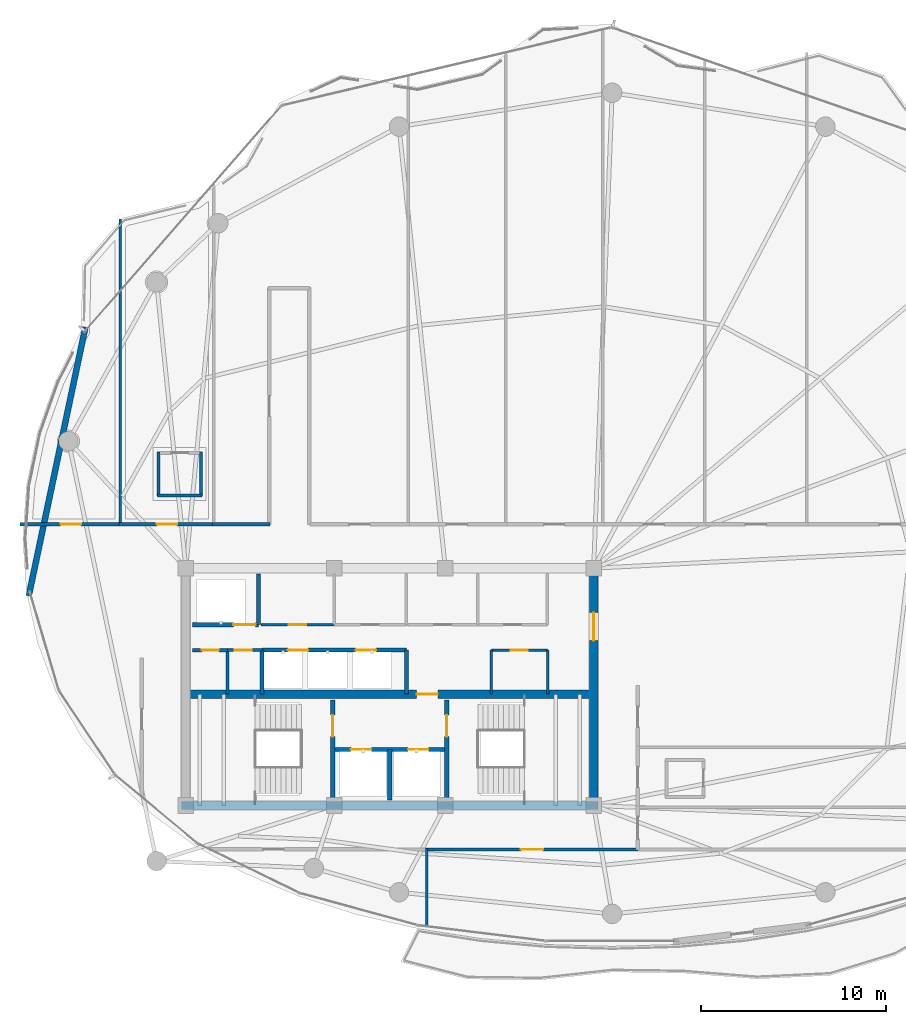
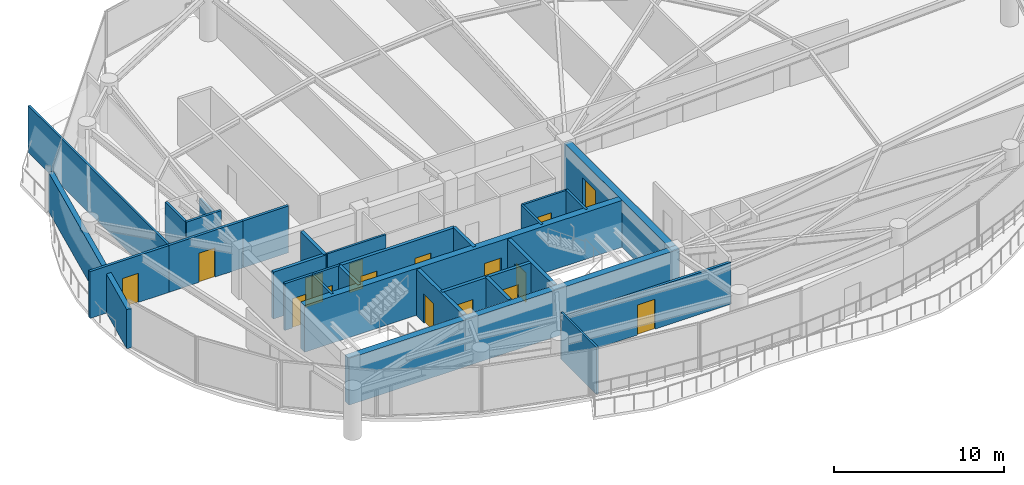
# One storey, part 23 of 29: 29 walls, 16 doors, 16 openings.
"""IFC4 building model written with IfcOpenShell, lengths in metres."""

from ifc_helpers import new_model, si_unit, direction, frame, frame_2d, origin, place, context, subcontext, project, spatial, rectangle, extrude, material, layer, layer_set, type_object, element, fill, save


model = new_model("IFC4")

# Units and contexts
model_context = context("Model", 3, precision=1e-05, world=origin(), true_north=direction((0.0, 1.0)))
body_context = subcontext(model_context, "Body", "Model", "MODEL_VIEW")
ifc_project = project(units=[si_unit("LENGTHUNIT", "METRE"), si_unit("AREAUNIT", "SQUARE_METRE"), si_unit("VOLUMEUNIT", "CUBIC_METRE"), si_unit("PLANEANGLEUNIT", "RADIAN"), si_unit("MASSUNIT", "GRAM", prefix="KILO")], contexts=[model_context])

# Site, building, storey
site_placement = place(None, origin())
site = spatial("IfcSite", under=ifc_project, at=site_placement, CompositionType="ELEMENT")
building_placement = place(site_placement, origin())
building = spatial("IfcBuilding", under=site, at=building_placement, Name="Kazevale Care Tower and Concert Hall", CompositionType="ELEMENT")
storey_placement = place(building_placement, frame((0.0, 0.0, 213.60009765625)))
storey = spatial("IfcBuildingStorey", under=building, at=storey_placement, Name="L56", CompositionType="ELEMENT", Elevation=213.60009765625)

# Wall, opening, door
ifc_material_1 = material(Name="Acoustic Gypsum on Steel Stud", Category="steel")
ifc_layer_1 = layer(ifc_material_1, 0.139892578125)
ifc_layer_set_1 = layer_set([ifc_layer_1], Name="Acoustic Gypsum on Steel Stud")
wall_type_1 = type_object("IfcWallType", Name="Acoustic Care & Suite Partition 140", PredefinedType="PARTITIONING", material=ifc_layer_set_1)
wall_1_placement = place(storey_placement, frame((26.050048828125, 33.35009765625, 0.0), z_axis=(0.0, 0.0, 1.0), x_axis=(1.0, 0.0, 0.0)))
wall_1 = element("IfcWall", 1, at=wall_1_placement, inside=storey, type_object=wall_type_1, Name="wall:L56:c_rpl1_s", PredefinedType="PARTITIONING", context=body_context, shape_type="SweptSolid", body=[
    extrude(rectangle(XDim=3.949951171875, YDim=0.139892578125, at=frame_2d((1.97509765625, 0.0))), origin(), (0.0, 0.0, 1.0), 3.35986328125),
])
opening_1_placement = place(wall_1_placement, frame((1.514892578125, 0.0, 0.0)))
opening_1 = element("IfcOpeningElement", 2, at=opening_1_placement, cuts=wall_1, Name="Opening ID-900", PredefinedType="OPENING", context=body_context, shape_type="SweptSolid", body=[
    extrude(rectangle(XDim=0.919921875, YDim=2.10009765625, at=frame_2d((0.4599609375, 1.050048828125))), frame((0.0, 0.079833984375, 0.0), z_axis=(0.0, -1.0, 0.0), x_axis=(1.0, 0.0, 0.0)), (0.0, 0.0, 1.0), 0.159912109375),
])
ifc_material_2 = material(Name="Oak Timber Fire Leaf", Category="wood")
door_type_1 = type_object("IfcDoorType", Name="Bathroom & Service Door 920x2100", OperationType="NOTDEFINED", PredefinedType="DOOR", material=ifc_material_2)
door_1_placement = place(opening_1_placement, origin())
door_1 = element("IfcDoor", 3, at=door_1_placement, inside=storey, type_object=door_type_1, Name="door:L56:d_rpl1", OperationType="SINGLE_SWING_LEFT", OverallHeight=2.10009765625, OverallWidth=0.919921875, PredefinedType="DOOR", context=body_context, shape_type="SweptSolid", body=[
    extrude(rectangle(XDim=0.919921875, YDim=2.10009765625, at=frame_2d((0.4599609375, 1.050048828125))), frame((0.0, 0.02490234375, 0.0), z_axis=(0.0, -1.0, 0.0), x_axis=(1.0, 0.0, 0.0)), (0.0, 0.0, 1.0), 0.050048828125),
])
fill(opening_1, door_1)

# Walls
for number, where, z_axis, x_axis, name in (
    (4, (38.47998046875, 29.6201171875, 0.0), (0.0, 0.0, 1.0), (0.0, 1.0, 0.0), "wall:L56:kb_ew"),
    (5, (41.52001953125, 29.6201171875, 0.0), (0.0, 0.0, 1.0), (0.0, 1.0, 0.0), "wall:L56:kb_ee"),
):
    element("IfcWall", number, at=place(storey_placement, frame(where, z_axis=z_axis, x_axis=x_axis)), inside=storey, type_object=wall_type_1, Name=name, PredefinedType="PARTITIONING", context=body_context, shape_type="SweptSolid", body=[
        extrude(rectangle(XDim=2.35986328125, YDim=0.139892578125, at=frame_2d((1.179931640625, 0.0))), origin(), (0.0, 0.0, 1.0), 3.35986328125),
    ])

# Wall, opening, door
wall_2_placement = place(storey_placement, frame((38.47998046875, 31.97998046875, 0.0), z_axis=(0.0, 0.0, 1.0), x_axis=(1.0, 0.0, 0.0)))
wall_2 = element("IfcWall", 6, at=wall_2_placement, inside=storey, type_object=wall_type_1, Name="wall:L56:kb_en", PredefinedType="PARTITIONING", context=body_context, shape_type="SweptSolid", body=[
    extrude(rectangle(XDim=3.0400390625, YDim=0.139892578125, at=frame_2d((1.52001953125, 0.0))), origin(), (0.0, 0.0, 1.0), 3.35986328125),
])
opening_2_placement = place(wall_2_placement, frame((1.044921875, 0.0, 0.0)))
opening_2 = element("IfcOpeningElement", 7, at=opening_2_placement, cuts=wall_2, Name="Opening ID-900", PredefinedType="OPENING", context=body_context, shape_type="SweptSolid", body=[
    extrude(rectangle(XDim=0.919921875, YDim=2.10009765625, at=frame_2d((0.4599609375, 1.050048828125))), frame((0.0, 0.079833984375, 0.0), z_axis=(0.0, -1.0, 0.0), x_axis=(1.0, 0.0, 0.0)), (0.0, 0.0, 1.0), 0.159912109375),
])
door_2_placement = place(opening_2_placement, origin())
door_2 = element("IfcDoor", 8, at=door_2_placement, inside=storey, type_object=door_type_1, Name="door:L56:d_kbe", OperationType="SINGLE_SWING_LEFT", OverallHeight=2.10009765625, OverallWidth=0.919921875, PredefinedType="DOOR", context=body_context, shape_type="SweptSolid", body=[
    extrude(rectangle(XDim=0.919921875, YDim=2.10009765625, at=frame_2d((0.4599609375, 1.050048828125))), frame((0.0, 0.02490234375, 0.0), z_axis=(0.0, -1.0, 0.0), x_axis=(1.0, 0.0, 0.0)), (0.0, 0.0, 1.0), 0.050048828125),
])
fill(opening_2, door_2)

# Walls
wall_3_placement = place(storey_placement, frame((18.469970703125, 55.239990234375, 0.0), z_axis=(0.0, 0.0, 1.0), x_axis=(0.0, -1.0, 0.0)))
element("IfcWall", 9, at=wall_3_placement, inside=storey, type_object=wall_type_1, Name="wall:L56:auto_019", PredefinedType="PARTITIONING", context=body_context, shape_type="SweptSolid", body=[
    extrude(rectangle(XDim=16.494873046875, YDim=0.139892578125, at=frame_2d((8.24755859375, 0.0))), origin(), (0.0, 0.0, 1.0), 3.35986328125),
])
wall_4_placement = place(storey_placement, frame((35.0, 21.2548828125, 0.0), z_axis=(0.0, 0.0, 1.0), x_axis=(0.0, -1.0, 0.0)))
element("IfcWall", 10, at=wall_4_placement, inside=storey, type_object=wall_type_1, Name="wall:L56:auto_031", PredefinedType="PARTITIONING", context=body_context, shape_type="SweptSolid", body=[
    extrude(rectangle(XDim=4.16943359375, YDim=0.139892578125, at=frame_2d((2.084716796875, 0.0))), origin(), (0.0, 0.0, 1.0), 3.35986328125),
])
ifc_material_3 = material(Name="Concrete C50", Category="concrete")
ifc_layer_2 = layer(ifc_material_3, 0.449951171875)
ifc_layer_set_2 = layer_set([ifc_layer_2], Name="Concrete C50")
wall_type_2 = type_object("IfcWallType", Name="Core Shear Wall 450 C50", PredefinedType="SHEAR", material=ifc_layer_set_2)
wall_5_placement = place(storey_placement, frame((21.77490234375, 23.60009765625, 0.0), z_axis=(0.0, 0.0, 1.0), x_axis=(1.0, 0.0, 0.0)))
element("IfcWall", 11, at=wall_5_placement, inside=storey, type_object=wall_type_2, Name="wall:L56:core:S", PredefinedType="SHEAR", context=body_context, shape_type="SweptSolid", body=[
    extrude(rectangle(XDim=22.4501953125, YDim=0.449951171875, at=frame_2d((11.22509765625, 0.0))), origin(), (0.0, 0.0, 1.0), 3.35986328125),
])

# Wall, opening, door
wall_6_placement = place(storey_placement, frame((44.0, 23.824951171875, 0.0), z_axis=(0.0, 0.0, 1.0), x_axis=(0.0, 1.0, 0.0)))
wall_6 = element("IfcWall", 12, at=wall_6_placement, inside=storey, type_object=wall_type_2, Name="wall:L56:core:E", PredefinedType="SHEAR", context=body_context, shape_type="SweptSolid", body=[
    extrude(rectangle(XDim=12.35009765625, YDim=0.449951171875, at=frame_2d((6.175048828125, 0.0))), origin(), (0.0, 0.0, 1.0), 3.35986328125),
])
opening_3_placement = place(wall_6_placement, frame((8.675048828125, 0.0, 0.0)))
opening_3 = element("IfcOpeningElement", 13, at=opening_3_placement, cuts=wall_6, Name="Opening FD-60D", PredefinedType="OPENING", context=body_context, shape_type="SweptSolid", body=[
    extrude(rectangle(XDim=1.5, YDim=2.14990234375, at=frame_2d((0.75, 1.074951171875))), frame((0.0, 0.23486328125, 0.0), z_axis=(0.0, -1.0, 0.0), x_axis=(1.0, 0.0, 0.0)), (0.0, 0.0, 1.0), 0.469970703125),
])
door_type_2 = type_object("IfcDoorType", Name="Double Lobby & Auditorium Fire Door 1500x2150", OperationType="NOTDEFINED", PredefinedType="DOOR", material=ifc_material_2)
door_3_placement = place(opening_3_placement, origin())
door_3 = element("IfcDoor", 14, at=door_3_placement, inside=storey, type_object=door_type_2, Name="door:L56:core_east_out", OperationType="DOUBLE_DOOR_SINGLE_SWING", OverallHeight=2.14990234375, OverallWidth=1.5, PredefinedType="DOOR", context=body_context, shape_type="SweptSolid", body=[
    extrude(rectangle(XDim=1.5, YDim=2.14990234375, at=frame_2d((0.75, 1.074951171875))), frame((0.0, 0.02490234375, 0.0), z_axis=(0.0, -1.0, 0.0), x_axis=(1.0, 0.0, 0.0)), (0.0, 0.0, 1.0), 0.050048828125),
])
fill(opening_3, door_3)

wall_7_placement = place(storey_placement, frame((22.22509765625, 29.60009765625, 0.0), z_axis=(0.0, 0.0, 1.0), x_axis=(1.0, 0.0, 0.0)))
wall_7 = element("IfcWall", 15, at=wall_7_placement, inside=storey, type_object=wall_type_2, Name="wall:L56:core:M", PredefinedType="SHEAR", context=body_context, shape_type="SweptSolid", body=[
    extrude(rectangle(XDim=21.5498046875, YDim=0.449951171875, at=frame_2d((10.77490234375, 0.0))), origin(), (0.0, 0.0, 1.0), 3.35986328125),
])
opening_4_placement = place(wall_7_placement, frame((12.22509765625, 0.0, 0.0)))
opening_4 = element("IfcOpeningElement", 16, at=opening_4_placement, cuts=wall_7, Name="Opening FD-90", PredefinedType="OPENING", context=body_context, shape_type="SweptSolid", body=[
    extrude(rectangle(XDim=1.14990234375, YDim=2.10009765625, at=frame_2d((0.574951171875, 1.050048828125))), frame((0.0, 0.23486328125, 0.0), z_axis=(0.0, -1.0, 0.0), x_axis=(1.0, 0.0, 0.0)), (0.0, 0.0, 1.0), 0.469970703125),
])
ifc_material_4 = material(Name="Steel ASTM A572 Gr 50", Category="steel")
door_type_3 = type_object("IfcDoorType", Name="Pressurized Stair & Lobby Fire Door 1150x2100", OperationType="NOTDEFINED", PredefinedType="DOOR", material=ifc_material_4)
door_4_placement = place(opening_4_placement, origin())
door_4 = element("IfcDoor", 17, at=door_4_placement, inside=storey, type_object=door_type_3, Name="door:L56:ff_to_pax", OperationType="SINGLE_SWING_LEFT", OverallHeight=2.10009765625, OverallWidth=1.14990234375, PredefinedType="DOOR", context=body_context, shape_type="SweptSolid", body=[
    extrude(rectangle(XDim=1.14990234375, YDim=2.10009765625, at=frame_2d((0.574951171875, 1.050048828125))), frame((0.0, 0.02490234375, 0.0), z_axis=(0.0, -1.0, 0.0), x_axis=(1.0, 0.0, 0.0)), (0.0, 0.0, 1.0), 0.050048828125),
])
fill(opening_4, door_4)

# Wall, openings, doors
ifc_material_5 = material(Name="Concrete C40", Category="concrete")
ifc_layer_3 = layer(ifc_material_5, 0.219970703125)
ifc_layer_set_3 = layer_set([ifc_layer_3], Name="Concrete C40")
wall_type_3 = type_object("IfcWallType", Name="Elevator Hoistway Shaft Wall 220", PredefinedType="SOLIDWALL", material=ifc_layer_set_3)
wall_8_placement = place(storey_placement, frame((29.919921875, 26.6201171875, 0.0), z_axis=(0.0, 0.0, 1.0), x_axis=(1.0, 0.0, 0.0)))
wall_8 = element("IfcWall", 18, at=wall_8_placement, inside=storey, type_object=wall_type_3, Name="wall:L56:c_ffl_n", PredefinedType="SOLIDWALL", context=body_context, shape_type="SweptSolid", body=[
    extrude(rectangle(XDim=6.16015625, YDim=0.219970703125, at=frame_2d((3.080078125, 0.0))), origin(), (0.0, 0.0, 1.0), 3.35986328125),
])
opening_5_placement = place(wall_8_placement, frame((0.989990234375, 0.0, 0.0)))
opening_5 = element("IfcOpeningElement", 19, at=opening_5_placement, cuts=wall_8, Name="Opening LD-FF", PredefinedType="OPENING", context=body_context, shape_type="SweptSolid", body=[
    extrude(rectangle(XDim=1.10009765625, YDim=2.10009765625, at=frame_2d((0.550048828125, 1.050048828125))), frame((0.0, 0.119873046875, 0.0), z_axis=(0.0, -1.0, 0.0), x_axis=(1.0, 0.0, 0.0)), (0.0, 0.0, 1.0), 0.239990234375),
])
opening_6_placement = place(wall_8_placement, frame((4.070068359375, 0.0, 0.0)))
opening_6 = element("IfcOpeningElement", 20, at=opening_6_placement, cuts=wall_8, Name="Opening LD-FF", PredefinedType="OPENING", context=body_context, shape_type="SweptSolid", body=[
    extrude(rectangle(XDim=1.10009765625, YDim=2.10009765625, at=frame_2d((0.550048828125, 1.050048828125))), frame((0.0, 0.119873046875, 0.0), z_axis=(0.0, -1.0, 0.0), x_axis=(1.0, 0.0, 0.0)), (0.0, 0.0, 1.0), 0.239990234375),
])
ifc_material_6 = material(Name="Stainless Steel 316", Category="steel")
door_type_4 = type_object("IfcDoorType", Name="Emergency Lift Sliding Landing Door 1100x2100", OperationType="NOTDEFINED", PredefinedType="DOOR", material=ifc_material_6)
door_5_placement = place(opening_5_placement, origin())
door_5 = element("IfcDoor", 21, at=door_5_placement, inside=storey, type_object=door_type_4, Name="door:L56:ld_ffl1", OperationType="SLIDING_TO_LEFT", OverallHeight=2.10009765625, OverallWidth=1.10009765625, PredefinedType="DOOR", context=body_context, shape_type="SweptSolid", body=[
    extrude(rectangle(XDim=1.10009765625, YDim=2.10009765625, at=frame_2d((0.550048828125, 1.050048828125))), frame((0.0, 0.02490234375, 0.0), z_axis=(0.0, -1.0, 0.0), x_axis=(1.0, 0.0, 0.0)), (0.0, 0.0, 1.0), 0.050048828125),
])
fill(opening_5, door_5)
door_6_placement = place(opening_6_placement, origin())
door_6 = element("IfcDoor", 22, at=door_6_placement, inside=storey, type_object=door_type_4, Name="door:L56:ld_ffl2", OperationType="SLIDING_TO_RIGHT", OverallHeight=2.10009765625, OverallWidth=1.10009765625, PredefinedType="DOOR", context=body_context, shape_type="SweptSolid", body=[
    extrude(rectangle(XDim=1.10009765625, YDim=2.10009765625, at=frame_2d((0.550048828125, 1.050048828125))), frame((0.0, 0.02490234375, 0.0), z_axis=(0.0, -1.0, 0.0), x_axis=(1.0, 0.0, 0.0)), (0.0, 0.0, 1.0), 0.050048828125),
])
fill(opening_6, door_6)

# Walls
wall_9_placement = place(storey_placement, frame((33.0, 23.89990234375, 0.0), z_axis=(0.0, 0.0, 1.0), x_axis=(0.0, 1.0, 0.0)))
element("IfcWall", 23, at=wall_9_placement, inside=storey, type_object=wall_type_3, Name="wall:L56:c_ffl_m", PredefinedType="SOLIDWALL", context=body_context, shape_type="SweptSolid", body=[
    extrude(rectangle(XDim=2.72021484375, YDim=0.219970703125, at=frame_2d((1.360107421875, 0.0))), origin(), (0.0, 0.0, 1.0), 3.35986328125),
])
wall_10_placement = place(storey_placement, frame((25.919921875, 33.35009765625, 0.0), z_axis=(0.0, 0.0, 1.0), x_axis=(0.0, 1.0, 0.0)))
element("IfcWall", 24, at=wall_10_placement, inside=storey, type_object=wall_type_3, Name="wall:L56:c_svl_e", PredefinedType="SOLIDWALL", context=body_context, shape_type="SweptSolid", body=[
    extrude(rectangle(XDim=2.72998046875, YDim=0.219970703125, at=frame_2d((1.364990234375, 0.0))), origin(), (0.0, 0.0, 1.0), 3.35986328125),
])

# Wall, opening, door
wall_11_placement = place(storey_placement, frame((22.35009765625, 33.35009765625, 0.0), z_axis=(0.0, 0.0, 1.0), x_axis=(1.0, 0.0, 0.0)))
wall_11 = element("IfcWall", 25, at=wall_11_placement, inside=storey, type_object=wall_type_3, Name="wall:L56:c_svl_s", PredefinedType="SOLIDWALL", context=body_context, shape_type="SweptSolid", body=[
    extrude(rectangle(XDim=3.56982421875, YDim=0.219970703125, at=frame_2d((1.784912109375, 0.0))), origin(), (0.0, 0.0, 1.0), 3.35986328125),
])
opening_7_placement = place(wall_11_placement, frame((2.212890625, 0.0, 0.0)))
opening_7 = element("IfcOpeningElement", 26, at=opening_7_placement, cuts=wall_11, Name="Opening LD-SV", PredefinedType="OPENING", context=body_context, shape_type="SweptSolid", body=[
    extrude(rectangle(XDim=1.199951171875, YDim=2.10009765625, at=frame_2d((0.60009765625, 1.050048828125))), frame((0.0, 0.119873046875, 0.0), z_axis=(0.0, -1.0, 0.0), x_axis=(1.0, 0.0, 0.0)), (0.0, 0.0, 1.0), 0.239990234375),
])
door_type_5 = type_object("IfcDoorType", Name="Service Lift Sliding Landing Door 1200x2100", OperationType="NOTDEFINED", PredefinedType="DOOR", material=ifc_material_6)
door_7_placement = place(opening_7_placement, origin())
door_7 = element("IfcDoor", 27, at=door_7_placement, inside=storey, type_object=door_type_5, Name="door:L56:ld_svl1", OperationType="SLIDING_TO_LEFT", OverallHeight=2.10009765625, OverallWidth=1.199951171875, PredefinedType="DOOR", context=body_context, shape_type="SweptSolid", body=[
    extrude(rectangle(XDim=1.199951171875, YDim=2.10009765625, at=frame_2d((0.60009765625, 1.050048828125))), frame((0.0, 0.02490234375, 0.0), z_axis=(0.0, -1.0, 0.0), x_axis=(1.0, 0.0, 0.0)), (0.0, 0.0, 1.0), 0.050048828125),
])
fill(opening_7, door_7)

# Wall
wall_12_placement = place(storey_placement, frame((26.10009765625, 29.6201171875, 0.0), z_axis=(0.0, 0.0, 1.0), x_axis=(0.0, 1.0, 0.0)))
element("IfcWall", 28, at=wall_12_placement, inside=storey, type_object=wall_type_3, Name="wall:L56:c_ph_w", PredefinedType="SOLIDWALL", context=body_context, shape_type="SweptSolid", body=[
    extrude(rectangle(XDim=2.35986328125, YDim=0.219970703125, at=frame_2d((1.179931640625, 0.0))), origin(), (0.0, 0.0, 1.0), 3.35986328125),
])

# Wall, openings, doors
wall_13_placement = place(storey_placement, frame((26.10009765625, 31.97998046875, 0.0), z_axis=(0.0, 0.0, 1.0), x_axis=(1.0, 0.0, 0.0)))
wall_13 = element("IfcWall", 29, at=wall_13_placement, inside=storey, type_object=wall_type_3, Name="wall:L56:c_ph_n", PredefinedType="SOLIDWALL", context=body_context, shape_type="SweptSolid", body=[
    extrude(rectangle(XDim=7.7998046875, YDim=0.219970703125, at=frame_2d((3.89990234375, 0.0))), origin(), (0.0, 0.0, 1.0), 3.35986328125),
])
opening_8_placement = place(wall_13_placement, frame((1.39990234375, 0.0, 0.0)))
opening_8 = element("IfcOpeningElement", 30, at=opening_8_placement, cuts=wall_13, Name="Opening LD-PAX", PredefinedType="OPENING", context=body_context, shape_type="SweptSolid", body=[
    extrude(rectangle(XDim=1.10009765625, YDim=2.10009765625, at=frame_2d((0.550048828125, 1.050048828125))), frame((0.0, 0.119873046875, 0.0), z_axis=(0.0, -1.0, 0.0), x_axis=(1.0, 0.0, 0.0)), (0.0, 0.0, 1.0), 0.239990234375),
])
opening_9_placement = place(wall_13_placement, frame((5.06591796875, 0.0, 0.0)))
opening_9 = element("IfcOpeningElement", 31, at=opening_9_placement, cuts=wall_13, Name="Opening LD-PAX", PredefinedType="OPENING", context=body_context, shape_type="SweptSolid", body=[
    extrude(rectangle(XDim=1.10009765625, YDim=2.10009765625, at=frame_2d((0.550048828125, 1.050048828125))), frame((0.0, 0.119873046875, 0.0), z_axis=(0.0, -1.0, 0.0), x_axis=(1.0, 0.0, 0.0)), (0.0, 0.0, 1.0), 0.239990234375),
])
door_type_6 = type_object("IfcDoorType", Name="Passenger Lift Sliding Landing Door 1100x2100", OperationType="NOTDEFINED", PredefinedType="DOOR", material=ifc_material_6)
door_8_placement = place(opening_8_placement, origin())
door_8 = element("IfcDoor", 32, at=door_8_placement, inside=storey, type_object=door_type_6, Name="door:L56:ld_ph1", OperationType="SLIDING_TO_LEFT", OverallHeight=2.10009765625, OverallWidth=1.10009765625, PredefinedType="DOOR", context=body_context, shape_type="SweptSolid", body=[
    extrude(rectangle(XDim=1.10009765625, YDim=2.10009765625, at=frame_2d((0.550048828125, 1.050048828125))), frame((0.0, 0.02490234375, 0.0), z_axis=(0.0, -1.0, 0.0), x_axis=(1.0, 0.0, 0.0)), (0.0, 0.0, 1.0), 0.050048828125),
])
fill(opening_8, door_8)
door_9_placement = place(opening_9_placement, origin())
door_9 = element("IfcDoor", 33, at=door_9_placement, inside=storey, type_object=door_type_6, Name="door:L56:ld_ph2", OperationType="SLIDING_TO_RIGHT", OverallHeight=2.10009765625, OverallWidth=1.10009765625, PredefinedType="DOOR", context=body_context, shape_type="SweptSolid", body=[
    extrude(rectangle(XDim=1.10009765625, YDim=2.10009765625, at=frame_2d((0.550048828125, 1.050048828125))), frame((0.0, 0.02490234375, 0.0), z_axis=(0.0, -1.0, 0.0), x_axis=(1.0, 0.0, 0.0)), (0.0, 0.0, 1.0), 0.050048828125),
])
fill(opening_9, door_9)

# Wall
wall_14_placement = place(storey_placement, frame((33.89990234375, 29.6201171875, 0.0), z_axis=(0.0, 0.0, 1.0), x_axis=(0.0, 1.0, 0.0)))
element("IfcWall", 34, at=wall_14_placement, inside=storey, type_object=wall_type_3, Name="wall:L56:c_ph_e", PredefinedType="SOLIDWALL", context=body_context, shape_type="SweptSolid", body=[
    extrude(rectangle(XDim=2.35986328125, YDim=0.219970703125, at=frame_2d((1.179931640625, 0.0))), origin(), (0.0, 0.0, 1.0), 3.35986328125),
])

# Wall, opening, door
ifc_material_7 = material(Name="Concrete C40 and Acoustic Gypsum", Category="concrete")
ifc_layer_4 = layer(ifc_material_7, 0.179931640625)
ifc_layer_set_4 = layer_set([ifc_layer_4], Name="Concrete C40 and Acoustic Gypsum")
wall_type_4 = type_object("IfcWallType", Name="Fire-Rated Corridor & Party Wall 180", PredefinedType="PARTITIONING", material=ifc_layer_set_4)
wall_15_placement = place(storey_placement, frame((22.35009765625, 31.97998046875, 0.0), z_axis=(0.0, 0.0, 1.0), x_axis=(1.0, 0.0, 0.0)))
wall_15 = element("IfcWall", 35, at=wall_15_placement, inside=storey, type_object=wall_type_4, Name="wall:L56:kb_wn0", PredefinedType="PARTITIONING", context=body_context, shape_type="SweptSolid", body=[
    extrude(rectangle(XDim=1.909912109375, YDim=0.179931640625, at=frame_2d((0.955078125, 0.0))), origin(), (0.0, 0.0, 1.0), 3.35986328125),
])
opening_10_placement = place(wall_15_placement, frame((0.514892578125, 0.0, 0.0)))
opening_10 = element("IfcOpeningElement", 36, at=opening_10_placement, cuts=wall_15, Name="Opening ID-900", PredefinedType="OPENING", context=body_context, shape_type="SweptSolid", body=[
    extrude(rectangle(XDim=0.919921875, YDim=2.10009765625, at=frame_2d((0.4599609375, 1.050048828125))), frame((0.0, 0.099853515625, 0.0), z_axis=(0.0, -1.0, 0.0), x_axis=(1.0, 0.0, 0.0)), (0.0, 0.0, 1.0), 0.199951171875),
])
door_10_placement = place(opening_10_placement, origin())
door_10 = element("IfcDoor", 37, at=door_10_placement, inside=storey, type_object=door_type_1, Name="door:L56:d_kbw1", OperationType="SINGLE_SWING_LEFT", OverallHeight=2.10009765625, OverallWidth=0.919921875, PredefinedType="DOOR", context=body_context, shape_type="SweptSolid", body=[
    extrude(rectangle(XDim=0.919921875, YDim=2.10009765625, at=frame_2d((0.4599609375, 1.050048828125))), frame((0.0, 0.02490234375, 0.0), z_axis=(0.0, -1.0, 0.0), x_axis=(1.0, 0.0, 0.0)), (0.0, 0.0, 1.0), 0.050048828125),
])
fill(opening_10, door_10)

wall_16_placement = place(storey_placement, frame((13.053955078125, 38.77490234375, 0.0), z_axis=(0.0, 0.0, 1.0), x_axis=(1.0, 0.0, 0.0)))
wall_16 = element("IfcWall", 38, at=wall_16_placement, inside=storey, type_object=wall_type_4, Name="wall:L56:auto_001", PredefinedType="PARTITIONING", context=body_context, shape_type="SweptSolid", body=[
    extrude(rectangle(XDim=5.48095703125, YDim=0.179931640625, at=frame_2d((2.740478515625, 0.0))), origin(), (0.0, 0.0, 1.0), 3.35986328125),
])
opening_11_placement = place(wall_16_placement, frame((2.19091796875, 0.0, 0.0)))
opening_11 = element("IfcOpeningElement", 39, at=opening_11_placement, cuts=wall_16, Name="Opening ID-1100", PredefinedType="OPENING", context=body_context, shape_type="SweptSolid", body=[
    extrude(rectangle(XDim=1.10009765625, YDim=2.10009765625, at=frame_2d((0.550048828125, 1.050048828125))), frame((0.0, 0.099853515625, 0.0), z_axis=(0.0, -1.0, 0.0), x_axis=(1.0, 0.0, 0.0)), (0.0, 0.0, 1.0), 0.199951171875),
])
door_type_7 = type_object("IfcDoorType", Name="Care Bedroom Accessible Door 1100x2100", OperationType="NOTDEFINED", PredefinedType="DOOR", material=ifc_material_2)
door_11_placement = place(opening_11_placement, origin())
door_11 = element("IfcDoor", 40, at=door_11_placement, inside=storey, type_object=door_type_7, Name="door:L56:ad_001", OperationType="SINGLE_SWING_LEFT", OverallHeight=2.10009765625, OverallWidth=1.10009765625, PredefinedType="DOOR", context=body_context, shape_type="SweptSolid", body=[
    extrude(rectangle(XDim=1.10009765625, YDim=2.10009765625, at=frame_2d((0.550048828125, 1.050048828125))), frame((0.0, 0.02490234375, 0.0), z_axis=(0.0, -1.0, 0.0), x_axis=(1.0, 0.0, 0.0)), (0.0, 0.0, 1.0), 0.050048828125),
])
fill(opening_11, door_11)

wall_17_placement = place(storey_placement, frame((18.405029296875, 38.77490234375, 0.0), z_axis=(0.0, 0.0, 1.0), x_axis=(1.0, 0.0, 0.0)))
wall_17 = element("IfcWall", 41, at=wall_17_placement, inside=storey, type_object=wall_type_4, Name="wall:L56:auto_002", PredefinedType="PARTITIONING", context=body_context, shape_type="SweptSolid", body=[
    extrude(rectangle(XDim=5.159912109375, YDim=0.179931640625, at=frame_2d((2.580078125, 0.0))), origin(), (0.0, 0.0, 1.0), 3.35986328125),
])
opening_12_placement = place(wall_17_placement, frame((2.030029296875, 0.0, 0.0)))
opening_12 = element("IfcOpeningElement", 42, at=opening_12_placement, cuts=wall_17, Name="Opening ID-1100", PredefinedType="OPENING", context=body_context, shape_type="SweptSolid", body=[
    extrude(rectangle(XDim=1.10009765625, YDim=2.10009765625, at=frame_2d((0.550048828125, 1.050048828125))), frame((0.0, 0.099853515625, 0.0), z_axis=(0.0, -1.0, 0.0), x_axis=(1.0, 0.0, 0.0)), (0.0, 0.0, 1.0), 0.199951171875),
])
door_12_placement = place(opening_12_placement, origin())
door_12 = element("IfcDoor", 43, at=door_12_placement, inside=storey, type_object=door_type_7, Name="door:L56:ad_002", OperationType="SINGLE_SWING_LEFT", OverallHeight=2.10009765625, OverallWidth=1.10009765625, PredefinedType="DOOR", context=body_context, shape_type="SweptSolid", body=[
    extrude(rectangle(XDim=1.10009765625, YDim=2.10009765625, at=frame_2d((0.550048828125, 1.050048828125))), frame((0.0, 0.02490234375, 0.0), z_axis=(0.0, -1.0, 0.0), x_axis=(1.0, 0.0, 0.0)), (0.0, 0.0, 1.0), 0.050048828125),
])
fill(opening_12, door_12)

# Wall
wall_18_placement = place(storey_placement, frame((23.43505859375, 38.77490234375, 0.0), z_axis=(0.0, 0.0, 1.0), x_axis=(1.0, 0.0, 0.0)))
element("IfcWall", 44, at=wall_18_placement, inside=storey, type_object=wall_type_4, Name="wall:L56:auto_005", PredefinedType="PARTITIONING", context=body_context, shape_type="SweptSolid", body=[
    extrude(rectangle(XDim=3.094970703125, YDim=0.179931640625, at=frame_2d((1.54736328125, 0.0))), origin(), (0.0, 0.0, 1.0), 3.35986328125),
])

# Wall, opening, door
wall_19_placement = place(storey_placement, frame((46.405029296875, 21.22509765625, 0.0), z_axis=(0.0, 0.0, 1.0), x_axis=(-1.0, 0.0, 0.0)))
wall_19 = element("IfcWall", 45, at=wall_19_placement, inside=storey, type_object=wall_type_4, Name="wall:L56:auto_017", PredefinedType="PARTITIONING", context=body_context, shape_type="SweptSolid", body=[
    extrude(rectangle(XDim=11.469970703125, YDim=0.179931640625, at=frame_2d((5.73486328125, 0.0))), origin(), (0.0, 0.0, 1.0), 2.995849609375),
])
opening_13_placement = place(wall_19_placement, frame((5.135009765625, 0.0, 0.0)))
opening_13 = element("IfcOpeningElement", 46, at=opening_13_placement, cuts=wall_19, Name="Opening ID-1200", PredefinedType="OPENING", context=body_context, shape_type="SweptSolid", body=[
    extrude(rectangle(XDim=1.199951171875, YDim=2.14990234375, at=frame_2d((0.60009765625, 1.074951171875))), frame((0.0, 0.099853515625, 0.0), z_axis=(0.0, -1.0, 0.0), x_axis=(1.0, 0.0, 0.0)), (0.0, 0.0, 1.0), 0.199951171875),
])
door_type_8 = type_object("IfcDoorType", Name="Clinical & Therapy Door 1200x2150", OperationType="NOTDEFINED", PredefinedType="DOOR", material=ifc_material_2)
door_13_placement = place(opening_13_placement, origin())
door_13 = element("IfcDoor", 47, at=door_13_placement, inside=storey, type_object=door_type_8, Name="door:L56:ad_017", OperationType="SINGLE_SWING_LEFT", OverallHeight=2.14990234375, OverallWidth=1.199951171875, PredefinedType="DOOR", context=body_context, shape_type="SweptSolid", body=[
    extrude(rectangle(XDim=1.199951171875, YDim=2.14990234375, at=frame_2d((0.60009765625, 1.074951171875))), frame((0.0, 0.02490234375, 0.0), z_axis=(0.0, -1.0, 0.0), x_axis=(1.0, 0.0, 0.0)), (0.0, 0.0, 1.0), 0.050048828125),
])
fill(opening_13, door_13)

# Wall
ifc_layer_5 = layer(ifc_material_1, 0.159912109375)
ifc_layer_set_5 = layer_set([ifc_layer_5], Name="Acoustic Gypsum on Steel Stud")
wall_type_5 = type_object("IfcWallType", Name="Moisture-Resistant Bathroom Plumbing Wall 160", PredefinedType="PLUMBINGWALL", material=ifc_layer_set_5)
wall_20_placement = place(storey_placement, frame((24.260009765625, 29.6201171875, 0.0), z_axis=(0.0, 0.0, 1.0), x_axis=(0.0, 1.0, 0.0)))
element("IfcWall", 48, at=wall_20_placement, inside=storey, type_object=wall_type_5, Name="wall:L56:kb_we1", PredefinedType="PLUMBINGWALL", context=body_context, shape_type="SweptSolid", body=[
    extrude(rectangle(XDim=2.35986328125, YDim=0.159912109375, at=frame_2d((1.179931640625, 0.0))), origin(), (0.0, 0.0, 1.0), 3.35986328125),
])

# Wall, opening, door
wall_21_placement = place(storey_placement, frame((24.260009765625, 31.97998046875, 0.0), z_axis=(0.0, 0.0, 1.0), x_axis=(1.0, 0.0, 0.0)))
wall_21 = element("IfcWall", 49, at=wall_21_placement, inside=storey, type_object=wall_type_5, Name="wall:L56:kb_wn1", PredefinedType="PLUMBINGWALL", context=body_context, shape_type="SweptSolid", body=[
    extrude(rectangle(XDim=1.840087890625, YDim=0.159912109375, at=frame_2d((0.919921875, 0.0))), origin(), (0.0, 0.0, 1.0), 3.35986328125),
])
opening_14_placement = place(wall_21_placement, frame((0.387939453125, 0.0, 0.0)))
opening_14 = element("IfcOpeningElement", 50, at=opening_14_placement, cuts=wall_21, Name="Opening ID-900", PredefinedType="OPENING", context=body_context, shape_type="SweptSolid", body=[
    extrude(rectangle(XDim=0.919921875, YDim=2.10009765625, at=frame_2d((0.4599609375, 1.050048828125))), frame((0.0, 0.08984375, 0.0), z_axis=(0.0, -1.0, 0.0), x_axis=(1.0, 0.0, 0.0)), (0.0, 0.0, 1.0), 0.179931640625),
])
door_14_placement = place(opening_14_placement, origin())
door_14 = element("IfcDoor", 51, at=door_14_placement, inside=storey, type_object=door_type_1, Name="door:L56:d_kbw2", OperationType="SINGLE_SWING_RIGHT", OverallHeight=2.10009765625, OverallWidth=0.919921875, PredefinedType="DOOR", context=body_context, shape_type="SweptSolid", body=[
    extrude(rectangle(XDim=0.919921875, YDim=2.10009765625, at=frame_2d((0.4599609375, 1.050048828125))), frame((0.0, 0.02490234375, 0.0), z_axis=(0.0, -1.0, 0.0), x_axis=(1.0, 0.0, 0.0)), (0.0, 0.0, 1.0), 0.050048828125),
])
fill(opening_14, door_14)

# Walls
for number, where, z_axis, x_axis, name in (
    (52, (20.47998046875, 40.324951171875, 0.0), (0.0, 0.0, 1.0), (1.0, 0.0, 0.0), "wall:L56:nb1b_ens_ws"),
    (53, (20.52001953125, 40.284912109375, 0.0), (0.0, 0.0, 1.0), (0.0, 1.0, 0.0), "wall:L56:nb1b_ens_ww"),
):
    element("IfcWall", number, at=place(storey_placement, frame(where, z_axis=z_axis, x_axis=x_axis)), inside=storey, type_object=wall_type_5, Name=name, PredefinedType="PLUMBINGWALL", context=body_context, shape_type="SweptSolid", body=[
        extrude(rectangle(XDim=2.380126953125, YDim=0.159912109375, at=frame_2d((1.18994140625, 0.0))), origin(), (0.0, 0.0, 1.0), 3.35986328125),
    ])
wall_22_placement = place(storey_placement, frame((22.820068359375, 40.284912109375, 0.0), z_axis=(0.0, 0.0, 1.0), x_axis=(0.0, 1.0, 0.0)))
element("IfcWall", 54, at=wall_22_placement, inside=storey, type_object=wall_type_5, Name="wall:L56:nb1b_ens_we", PredefinedType="PLUMBINGWALL", context=body_context, shape_type="SweptSolid", body=[
    extrude(rectangle(XDim=2.380126953125, YDim=0.159912109375, at=frame_2d((1.18994140625, 0.0))), origin(), (0.0, 0.0, 1.0), 2.805908203125),
])

# Wall, opening, door
ifc_layer_6 = layer(ifc_material_5, 0.25)
ifc_layer_set_6 = layer_set([ifc_layer_6], Name="Concrete C40")
wall_type_6 = type_object("IfcWallType", Name="Pressurized Stair Shaft Wall 250", PredefinedType="SOLIDWALL", material=ifc_layer_set_6)
wall_23_placement = place(storey_placement, frame((29.919921875, 23.89990234375, 0.0), z_axis=(0.0, 0.0, 1.0), x_axis=(0.0, 1.0, 0.0)))
wall_23 = element("IfcWall", 55, at=wall_23_placement, inside=storey, type_object=wall_type_6, Name="wall:L56:c_st1_e", PredefinedType="SOLIDWALL", context=body_context, shape_type="SweptSolid", body=[
    extrude(rectangle(XDim=5.400146484375, YDim=0.25, at=frame_2d((2.7001953125, 0.0))), origin(), (0.0, 0.0, 1.0), 3.35986328125),
])
opening_15_placement = place(wall_23_placement, frame((3.4208984375, 0.0, 0.0)))
opening_15 = element("IfcOpeningElement", 56, at=opening_15_placement, cuts=wall_23, Name="Opening FD-90", PredefinedType="OPENING", context=body_context, shape_type="SweptSolid", body=[
    extrude(rectangle(XDim=1.14990234375, YDim=2.10009765625, at=frame_2d((0.574951171875, 1.050048828125))), frame((0.0, 0.135009765625, 0.0), z_axis=(0.0, -1.0, 0.0), x_axis=(1.0, 0.0, 0.0)), (0.0, 0.0, 1.0), 0.27001953125),
])
door_15_placement = place(opening_15_placement, origin())
door_15 = element("IfcDoor", 57, at=door_15_placement, inside=storey, type_object=door_type_3, Name="door:L56:st1", OperationType="SINGLE_SWING_RIGHT", OverallHeight=2.10009765625, OverallWidth=1.14990234375, PredefinedType="DOOR", context=body_context, shape_type="SweptSolid", body=[
    extrude(rectangle(XDim=1.14990234375, YDim=2.10009765625, at=frame_2d((0.574951171875, 1.050048828125))), frame((0.0, 0.02490234375, 0.0), z_axis=(0.0, -1.0, 0.0), x_axis=(1.0, 0.0, 0.0)), (0.0, 0.0, 1.0), 0.050048828125),
])
fill(opening_15, door_15)

wall_24_placement = place(storey_placement, frame((36.080078125, 23.89990234375, 0.0), z_axis=(0.0, 0.0, 1.0), x_axis=(0.0, 1.0, 0.0)))
wall_24 = element("IfcWall", 58, at=wall_24_placement, inside=storey, type_object=wall_type_6, Name="wall:L56:c_st2_w", PredefinedType="SOLIDWALL", context=body_context, shape_type="SweptSolid", body=[
    extrude(rectangle(XDim=5.400146484375, YDim=0.25, at=frame_2d((2.7001953125, 0.0))), origin(), (0.0, 0.0, 1.0), 3.35986328125),
])
opening_16_placement = place(wall_24_placement, frame((3.4208984375, 0.0, 0.0)))
opening_16 = element("IfcOpeningElement", 59, at=opening_16_placement, cuts=wall_24, Name="Opening FD-90", PredefinedType="OPENING", context=body_context, shape_type="SweptSolid", body=[
    extrude(rectangle(XDim=1.14990234375, YDim=2.10009765625, at=frame_2d((0.574951171875, 1.050048828125))), frame((0.0, 0.135009765625, 0.0), z_axis=(0.0, -1.0, 0.0), x_axis=(1.0, 0.0, 0.0)), (0.0, 0.0, 1.0), 0.27001953125),
])
door_16_placement = place(opening_16_placement, origin())
door_16 = element("IfcDoor", 60, at=door_16_placement, inside=storey, type_object=door_type_3, Name="door:L56:st2", OperationType="SINGLE_SWING_LEFT", OverallHeight=2.10009765625, OverallWidth=1.14990234375, PredefinedType="DOOR", context=body_context, shape_type="SweptSolid", body=[
    extrude(rectangle(XDim=1.14990234375, YDim=2.10009765625, at=frame_2d((0.574951171875, 1.050048828125))), frame((0.0, 0.02490234375, 0.0), z_axis=(0.0, -1.0, 0.0), x_axis=(1.0, 0.0, 0.0)), (0.0, 0.0, 1.0), 0.050048828125),
])
fill(opening_16, door_16)

# Wall
ifc_material_8 = material(Name="Concrete C40 with Honed Limestone Cladding", Category="masonry")
ifc_layer_7 = layer(ifc_material_8, 0.320068359375)
ifc_layer_set_7 = layer_set([ifc_layer_7], Name="Concrete C40 with Honed Limestone Cladding")
wall_type_7 = type_object("IfcWallType", Name="Tower Honed Limestone Spandrel Wall 320", PredefinedType="STANDARD", material=ifc_layer_set_7)
wall_25_placement = place(storey_placement, frame((13.52490234375, 34.903076171875, 0.0), z_axis=(0.0, 0.0, 1.0), x_axis=(0.206301080321, 0.978488561128, 0.0)))
element("IfcWall", 61, at=wall_25_placement, inside=storey, type_object=wall_type_7, Name="wall:cw:L56:f13", PredefinedType="STANDARD", context=body_context, shape_type="SweptSolid", body=[
    extrude(rectangle(XDim=14.81884765625, YDim=0.320068359375, at=frame_2d((7.409423828125, 0.0))), origin(), (0.0, 0.0, 1.0), 2.805908203125),
])

save(model, "model.ifc")
